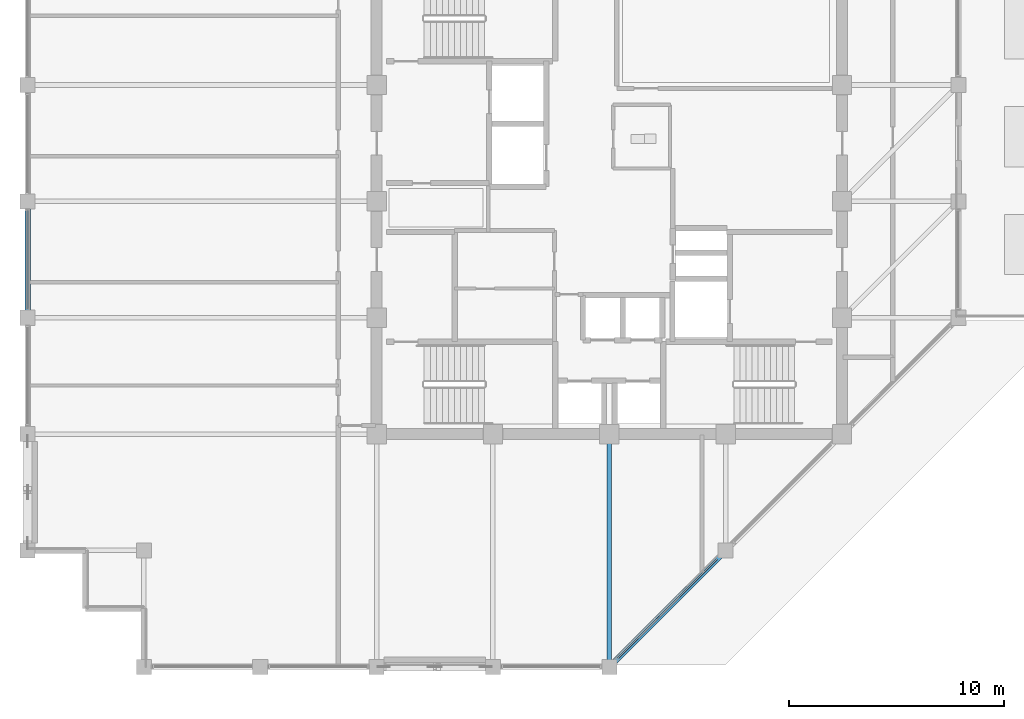
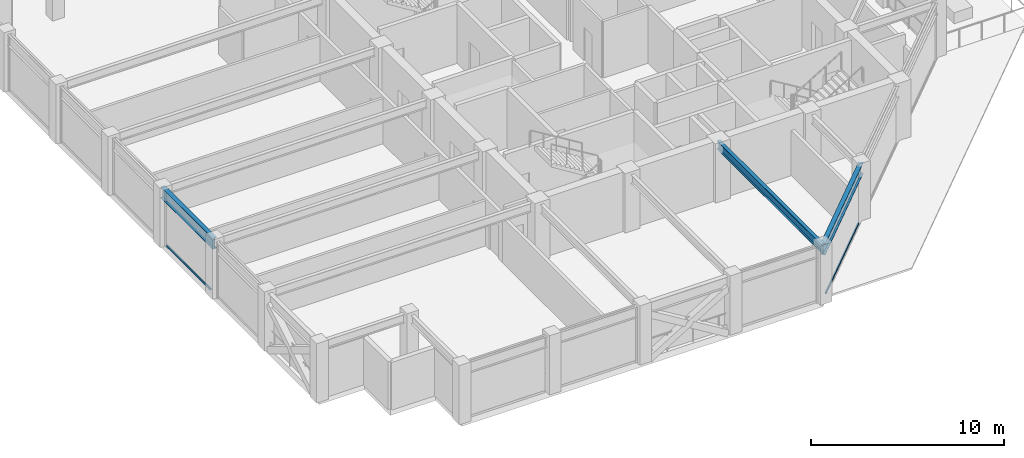
# One storey, part 7 of 34: 3 beams, 2 members, 2 elements without a shape of their own.
"""IFC4 building model written with IfcOpenShell, lengths in metres."""

from ifc_helpers import new_model, si_unit, direction, frame, origin, origin_2d, place, context, subcontext, project, spatial, hollow_rectangle, i_section, extrude, material, layer, layer_set, material_profile, profile_set, type_object, element, aggregate, save


model = new_model("IFC4")

# Units and contexts
model_context = context("Model", 3, precision=1e-05, world=origin(), true_north=direction((0.0, 1.0)))
body_context = subcontext(model_context, "Body", "Model", "MODEL_VIEW")
ifc_project = project(units=[si_unit("LENGTHUNIT", "METRE"), si_unit("AREAUNIT", "SQUARE_METRE"), si_unit("VOLUMEUNIT", "CUBIC_METRE"), si_unit("PLANEANGLEUNIT", "RADIAN"), si_unit("MASSUNIT", "GRAM", prefix="KILO")], contexts=[model_context])

# Site, building, storey
site_placement = place(None, origin())
site = spatial("IfcSite", under=ifc_project, at=site_placement, CompositionType="ELEMENT")
building_placement = place(site_placement, origin())
building = spatial("IfcBuilding", under=site, at=building_placement, Name="Surkhivell Harbour Commons", CompositionType="ELEMENT")
storey_placement = place(building_placement, frame((0.0, 0.0, 258.75)))
storey = spatial("IfcBuildingStorey", under=building, at=storey_placement, Name="L67", CompositionType="ELEMENT", Elevation=258.75)

# Beams
ifc_material_1 = material(Name="Steel S355", Category="steel")
ifc_material_profile_1 = material_profile(ifc_material_1, i_section(OverallWidth=0.2099609375, OverallDepth=0.537109375, WebThickness=0.0107421875, FlangeThickness=0.017333984375, at=origin_2d()), Name="UB533x210x101")
ifc_profile_set_1 = profile_set([ifc_material_profile_1], Name="Steel S355")
beam_type_1 = type_object("IfcBeamType", Name="BM-GRD-533B", PredefinedType="BEAM", material=ifc_profile_set_1)
beam_1_placement = place(storey_placement, frame((0.0, -21.60009765625, 3.301513671875), z_axis=(0.0, 1.0, 0.0), x_axis=(-1.0, 0.0, 0.0)))
element("IfcBeam", 1, at=beam_1_placement, inside=storey, type_object=beam_type_1, Name="L67 Floor Girder (0.0,-21.6)", PredefinedType="BEAM", context=body_context, shape_type="SweptSolid", body=[
    extrude(i_section(OverallWidth=0.2099609375, OverallDepth=0.537109375, WebThickness=0.0107421875, FlangeThickness=0.017333984375, at=origin_2d()), origin(), (0.0, 0.0, 1.0), 10.800048828125),
])
ifc_material_profile_2 = material_profile(ifc_material_1, i_section(OverallWidth=0.256103515625, OverallDepth=0.693115234375, WebThickness=0.014404296875, FlangeThickness=0.023681640625, at=origin_2d()), Name="UB686x254x170")
ifc_profile_set_2 = profile_set([ifc_material_profile_2], Name="Steel S355")
beam_type_2 = type_object("IfcBeamType", Name="BM-SPN-686", PredefinedType="SPANDREL", material=ifc_profile_set_2)
beam_2_placement = place(storey_placement, frame((-27.0, -5.39990234375, 3.223388671875), z_axis=(0.0, 1.0, 0.0), x_axis=(-1.0, 0.0, 0.0)))
element("IfcBeam", 2, at=beam_2_placement, inside=storey, type_object=beam_type_2, Name="L67 Tube Spandrel (-27.0,-5.4)", PredefinedType="SPANDREL", context=body_context, shape_type="SweptSolid", body=[
    extrude(i_section(OverallWidth=0.256103515625, OverallDepth=0.693115234375, WebThickness=0.014404296875, FlangeThickness=0.023681640625, at=origin_2d()), origin(), (0.0, 0.0, 1.0), 5.39990234375),
])
beam_3_placement = place(storey_placement, frame((0.0, -21.60009765625, 3.223388671875), z_axis=(0.707090796496, 0.707122765516, 0.0), x_axis=(-0.707122765516, 0.707090796496, 0.0)))
element("IfcBeam", 3, at=beam_3_placement, inside=storey, type_object=beam_type_2, Name="L67 Tube Spandrel (-0.0,-21.6)", PredefinedType="SPANDREL", context=body_context, shape_type="SweptSolid", body=[
    extrude(i_section(OverallWidth=0.256103515625, OverallDepth=0.693115234375, WebThickness=0.014404296875, FlangeThickness=0.023681640625, at=origin_2d()), origin(), (0.0, 0.0, 1.0), 7.63671875),
])

# Curtain wall, member
ifc_material_2 = material(Name="Anodised pale-metal aluminium and insulated glazing", Category="aluminium")
ifc_layer = layer(ifc_material_2, 0.175048828125)
ifc_layer_set = layer_set([ifc_layer], Name="Anodised pale-metal aluminium and insulated glazing")
curtain_wall_type = type_object("IfcCurtainWallType", Name="CW-SYS-Z4", PredefinedType="NOTDEFINED", material=ifc_layer_set)
curtain_wall_1_placement = place(storey_placement, origin())
curtain_wall_1 = element("IfcCurtainWall", 4, at=curtain_wall_1_placement, inside=storey, type_object=curtain_wall_type, Name="L67 Curtain Wall CW-L67-E01", PredefinedType="NOTDEFINED")
ifc_material_3 = material(Name="Champagne anodised aluminium alloy 6063-T6", Category="aluminium")
ifc_material_profile_3 = material_profile(ifc_material_3, hollow_rectangle(XDim=0.070068359375, YDim=0.1298828125, WallThickness=0.00341796875, at=origin_2d()), Name="ALU-TRAN-70x130")
ifc_profile_set_3 = profile_set([ifc_material_profile_3], Name="Champagne anodised aluminium alloy 6063-T6")
member_type = type_object("IfcMemberType", Name="CWT-130", PredefinedType="USERDEFINED", material=ifc_profile_set_3)
member_1_placement = place(storey_placement, frame((0.404541015625, -21.1953125, 0.06494140625), z_axis=(0.707125583467, 0.707087978406, 0.0), x_axis=(-0.707087978406, 0.707125583467, 0.0)))
member_1 = element("IfcMember", 5, at=member_1_placement, type_object=member_type, Name="CW-Z4 transom 1.1", ObjectType="TRANSOM", PredefinedType="USERDEFINED", context=body_context, shape_type="SweptSolid", body=[
    extrude(hollow_rectangle(XDim=0.070068359375, YDim=0.1298828125, WallThickness=0.00341796875, at=origin_2d()), origin(), (0.0, 0.0, 1.0), 6.4921875),
])
aggregate(curtain_wall_1, [member_1])

curtain_wall_2_placement = place(storey_placement, origin())
curtain_wall_2 = element("IfcCurtainWall", 6, at=curtain_wall_2_placement, inside=storey, type_object=curtain_wall_type, Name="L67 Curtain Wall CW-L67-E12S1", PredefinedType="NOTDEFINED")
member_2_placement = place(storey_placement, frame((-27.0, -0.427001953125, 0.06494140625), z_axis=(0.0, -1.0, 0.0), x_axis=(1.0, 0.0, 0.0)))
member_2 = element("IfcMember", 7, at=member_2_placement, type_object=member_type, Name="CW-Z4 transom 5.1", ObjectType="TRANSOM", PredefinedType="USERDEFINED", context=body_context, shape_type="SweptSolid", body=[
    extrude(hollow_rectangle(XDim=0.070068359375, YDim=0.1298828125, WallThickness=0.00341796875, at=origin_2d()), origin(), (0.0, 0.0, 1.0), 4.5458984375),
])
aggregate(curtain_wall_2, [member_2])

save(model, "model.ifc")
